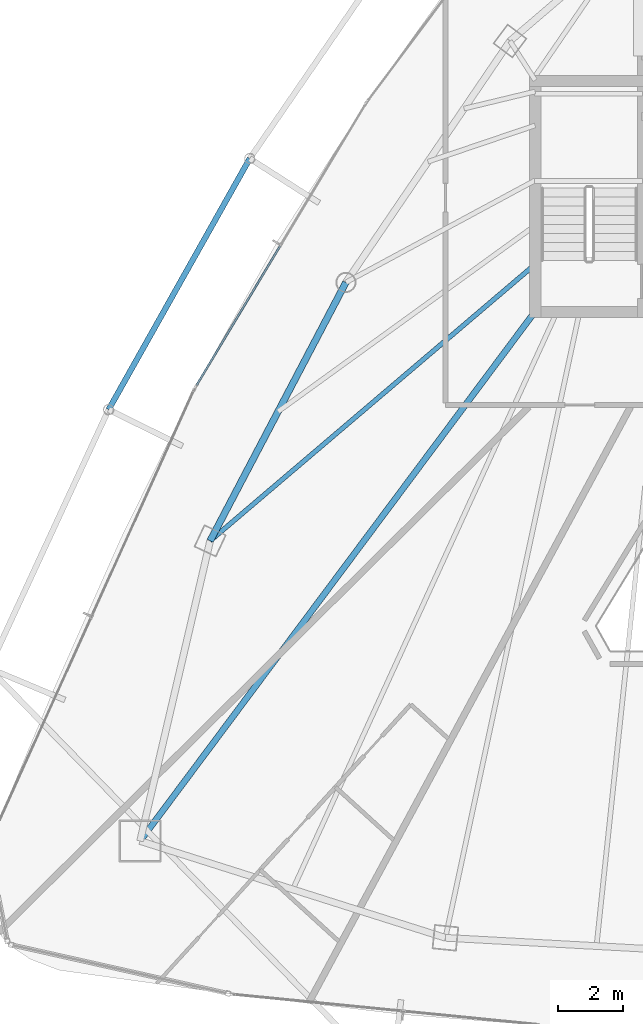
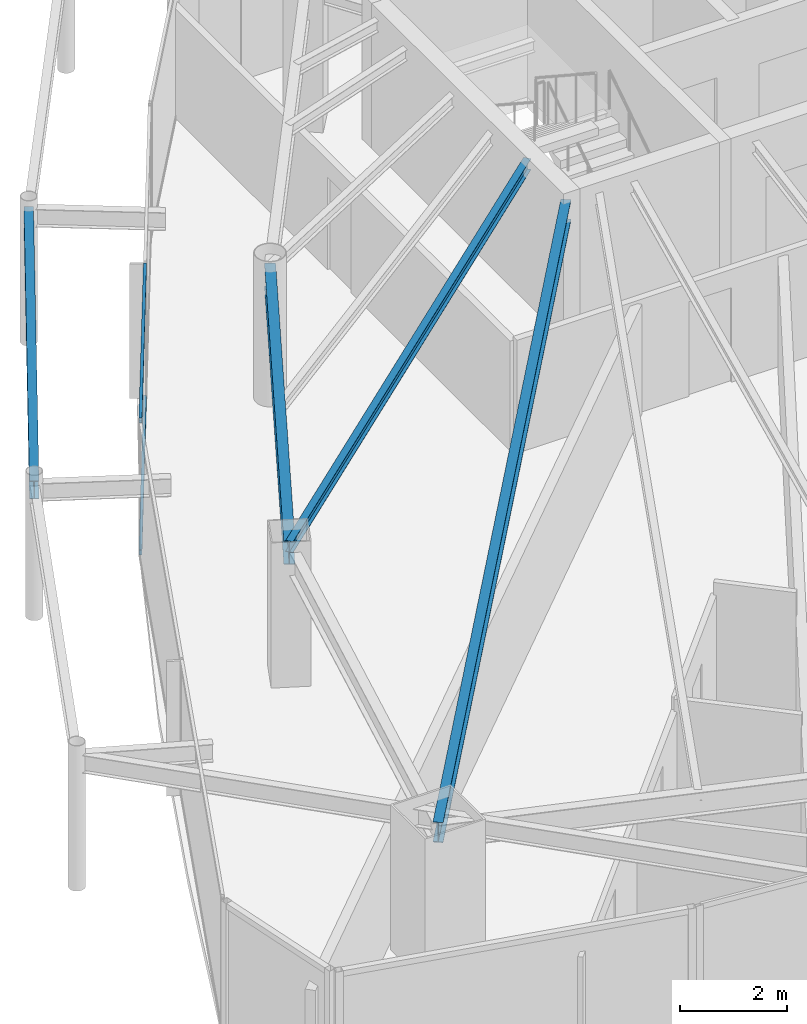
# One storey, part 12 of 34: 4 beams, 2 members, 1 element without a shape of its own.
"""IFC4 building model written with IfcOpenShell, lengths in metres."""

from ifc_helpers import new_model, si_unit, direction, frame, origin, origin_2d, place, context, subcontext, project, spatial, hollow_rectangle, i_section, extrude, material, layer, layer_set, material_profile, profile_set, type_object, element, aggregate, save


model = new_model("IFC4")

# Units and contexts
model_context = context("Model", 3, precision=1e-05, world=origin(), true_north=direction((0.0, 1.0)))
body_context = subcontext(model_context, "Body", "Model", "MODEL_VIEW")
ifc_project = project(units=[si_unit("LENGTHUNIT", "METRE"), si_unit("AREAUNIT", "SQUARE_METRE"), si_unit("VOLUMEUNIT", "CUBIC_METRE"), si_unit("PLANEANGLEUNIT", "RADIAN"), si_unit("MASSUNIT", "GRAM", prefix="KILO")], contexts=[model_context])

# Site, building, storey
site_placement = place(None, origin())
site = spatial("IfcSite", under=ifc_project, at=site_placement, CompositionType="ELEMENT")
building_placement = place(site_placement, origin())
building = spatial("IfcBuilding", under=site, at=building_placement, Name="Orvanel Arch Residences", CompositionType="ELEMENT")
storey_placement = place(building_placement, frame((0.0, 0.0, 199.699951171875)))
storey = spatial("IfcBuildingStorey", under=building, at=storey_placement, Name="L56", CompositionType="ELEMENT", Elevation=199.699951171875)

# Beams
ifc_material_1 = material(Name="Structural steel AS/NZS 3679.1 Grade 300 (300 MPa)", Category="steel")
ifc_material_profile_1 = material_profile(ifc_material_1, i_section(OverallWidth=0.19091796875, OverallDepth=0.4599609375, WebThickness=0.010009765625, FlangeThickness=0.01611328125, at=origin_2d()), Name="460UB82.1")
ifc_profile_set_1 = profile_set([ifc_material_profile_1], Name="Structural steel AS/NZS 3679.1 Grade 300 (300 MPa)")
beam_type_1 = type_object("IfcBeamType", Name="BG-460UB", PredefinedType="BEAM", material=ifc_profile_set_1)
beam_1_placement = place(storey_placement, frame((26.375, 26.675048828125, 2.830078125), z_axis=(-0.597893733742, -0.801575375839, 0.0), x_axis=(0.801575375839, -0.597893733742, 0.0)))
element("IfcBeam", 1, at=beam_1_placement, inside=storey, type_object=beam_type_1, Name="L56 South-West Radial Girder", PredefinedType="BEAM", context=body_context, shape_type="SweptSolid", body=[
    extrude(i_section(OverallWidth=0.19091796875, OverallDepth=0.4599609375, WebThickness=0.010009765625, FlangeThickness=0.01611328125, at=origin_2d()), origin(), (0.0, 0.0, 1.0), 20.36474609375),
])
ifc_material_profile_2 = material_profile(ifc_material_1, i_section(OverallWidth=0.14599609375, OverallDepth=0.251953125, WebThickness=0.006103515625, FlangeThickness=0.008544921875, at=origin_2d()), Name="250UB31.4")
ifc_profile_set_2 = profile_set([ifc_material_profile_2], Name="Structural steel AS/NZS 3679.1 Grade 300 (300 MPa)")
beam_type_2 = type_object("IfcBeamType", Name="BJ-250UB", PredefinedType="JOIST", material=ifc_profile_set_2)
beam_2_placement = place(storey_placement, frame((26.425048828125, 28.199951171875, 2.93408203125), z_axis=(-0.761622669031, -0.64802076357, 0.0), x_axis=(0.64802076357, -0.761622669031, 0.0)))
element("IfcBeam", 2, at=beam_2_placement, inside=storey, type_object=beam_type_2, Name="L56 W Wing Floor Joist", PredefinedType="JOIST", context=body_context, shape_type="SweptSolid", body=[
    extrude(i_section(OverallWidth=0.14599609375, OverallDepth=0.251953125, WebThickness=0.006103515625, FlangeThickness=0.008544921875, at=origin_2d()), origin(), (0.0, 0.0, 1.0), 13.2060546875),
])
ifc_material_profile_3 = material_profile(ifc_material_1, i_section(OverallWidth=0.177978515625, OverallDepth=0.406005859375, WebThickness=0.0078125, FlangeThickness=0.0126953125, at=origin_2d()), Name="410UB59.7")
ifc_profile_set_3 = profile_set([ifc_material_profile_3], Name="Structural steel AS/NZS 3679.1 Grade 300 (300 MPa)")
beam_type_3 = type_object("IfcBeamType", Name="OB-410UB-EXT", PredefinedType="SPANDREL", material=ifc_profile_set_3)
beam_3_placement = place(storey_placement, frame((17.593017578125, 31.47509765625, 2.85693359375), z_axis=(-0.490007708423, -0.871718099896, 0.0), x_axis=(0.871718099896, -0.490007708423, 0.0)))
element("IfcBeam", 3, at=beam_3_placement, inside=storey, type_object=beam_type_3, Name="L56 Outer Perimeter Floor Ring Beam 02", PredefinedType="SPANDREL", context=body_context, shape_type="SweptSolid", body=[
    extrude(i_section(OverallWidth=0.177978515625, OverallDepth=0.406005859375, WebThickness=0.0078125, FlangeThickness=0.0126953125, at=origin_2d()), origin(), (0.0, 0.0, 1.0), 8.916015625),
])
ifc_material_profile_4 = material_profile(ifc_material_1, i_section(OverallWidth=0.208984375, OverallDepth=0.532958984375, WebThickness=0.01025390625, FlangeThickness=0.015625, at=origin_2d()), Name="530UB92.4")
ifc_profile_set_4 = profile_set([ifc_material_profile_4], Name="Structural steel AS/NZS 3679.1 Grade 300 (300 MPa)")
beam_type_4 = type_object("IfcBeamType", Name="SP-530UB", PredefinedType="SPANDREL", material=ifc_profile_set_4)
beam_4_placement = place(storey_placement, frame((20.569091796875, 27.64111328125, 2.79296875), z_axis=(-0.465064762793, -0.885276660942, 0.0), x_axis=(0.885276660942, -0.465064762793, 0.0)))
element("IfcBeam", 4, at=beam_4_placement, inside=storey, type_object=beam_type_4, Name="L56 Perimeter Spandrel Beam 12", PredefinedType="SPANDREL", context=body_context, shape_type="SweptSolid", body=[
    extrude(i_section(OverallWidth=0.208984375, OverallDepth=0.532958984375, WebThickness=0.01025390625, FlangeThickness=0.015625, at=origin_2d()), origin(), (0.0, 0.0, 1.0), 9.03564453125),
])

# Curtain wall, members
ifc_material_2 = material(Name="Bronze-anodised aluminium AA6063-T6", Category="aluminium")
ifc_layer = layer(ifc_material_2, 0.175048828125)
ifc_layer_set = layer_set([ifc_layer], Name="Bronze-anodised aluminium AA6063-T6")
curtain_wall_type = type_object("IfcCurtainWallType", Name="CW4-HI-SYS", PredefinedType="NOTDEFINED", material=ifc_layer_set)
curtain_wall_placement = place(storey_placement, origin())
curtain_wall = element("IfcCurtainWall", 5, at=curtain_wall_placement, inside=storey, type_object=curtain_wall_type, Name="L56 CW4-HI-SYS Unitised Curtain Wall", PredefinedType="NOTDEFINED")
ifc_material_profile_5 = material_profile(ifc_material_2, hollow_rectangle(XDim=0.06005859375, YDim=0.1201171875, WallThickness=0.00341796875, at=origin_2d()), Name="ALU120x60x3.5")
ifc_profile_set_5 = profile_set([ifc_material_profile_5], Name="Bronze-anodised aluminium AA6063-T6")
member_type = type_object("IfcMemberType", Name="TRN-120x60", PredefinedType="USERDEFINED", material=ifc_profile_set_5)
member_1_placement = place(storey_placement, frame((18.53271484375, 28.770751953125, 0.030029296875), z_axis=(-0.514495755428, -0.857492925713, 0.0), x_axis=(0.857492925713, -0.514495755428, 0.0)))
member_1 = element("IfcMember", 6, at=member_1_placement, type_object=member_type, Name="CW-S4 transom 2.1", ObjectType="TRANSOM", PredefinedType="USERDEFINED", context=body_context, shape_type="SweptSolid", body=[
    extrude(hollow_rectangle(XDim=0.06005859375, YDim=0.1201171875, WallThickness=0.00341796875, at=origin_2d()), origin(), (0.0, 0.0, 1.0), 5.031005859375),
])
member_2_placement = place(storey_placement, frame((18.53271484375, 28.770751953125, 3.030029296875), z_axis=(-0.514495755428, -0.857492925713, 0.0), x_axis=(0.857492925713, -0.514495755428, 0.0)))
member_2 = element("IfcMember", 7, at=member_2_placement, type_object=member_type, Name="CW-S4 transom 2.2", ObjectType="TRANSOM", PredefinedType="USERDEFINED", context=body_context, shape_type="SweptSolid", body=[
    extrude(hollow_rectangle(XDim=0.06005859375, YDim=0.1201171875, WallThickness=0.00341796875, at=origin_2d()), origin(), (0.0, 0.0, 1.0), 5.031005859375),
])
aggregate(curtain_wall, [member_1, member_2])

save(model, "model.ifc")
